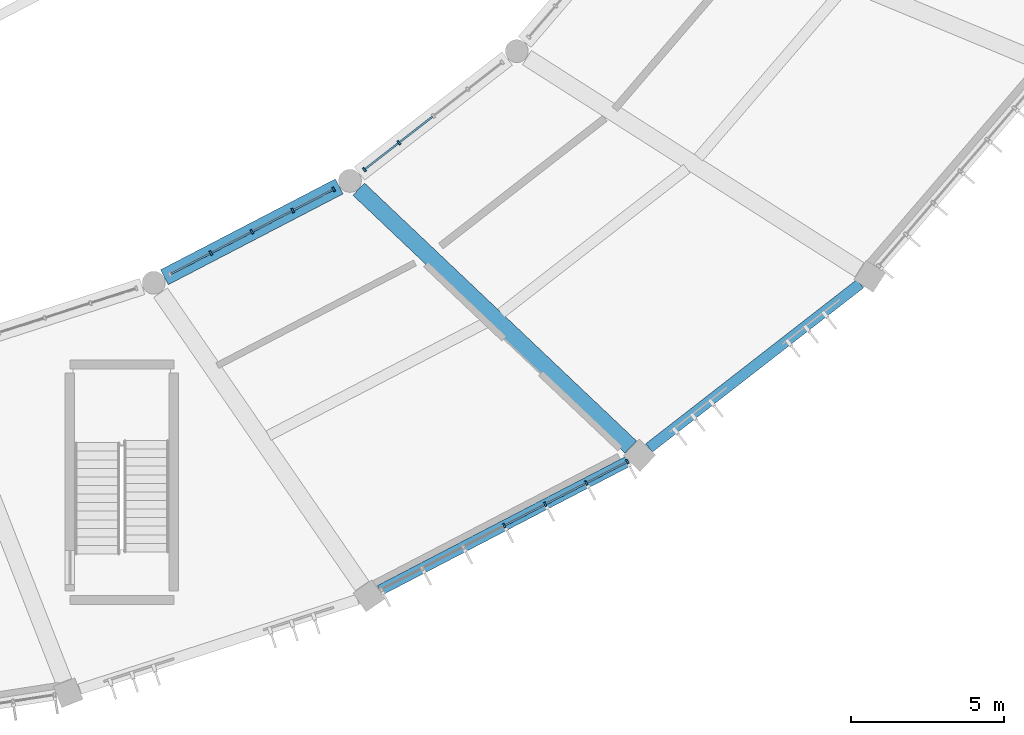
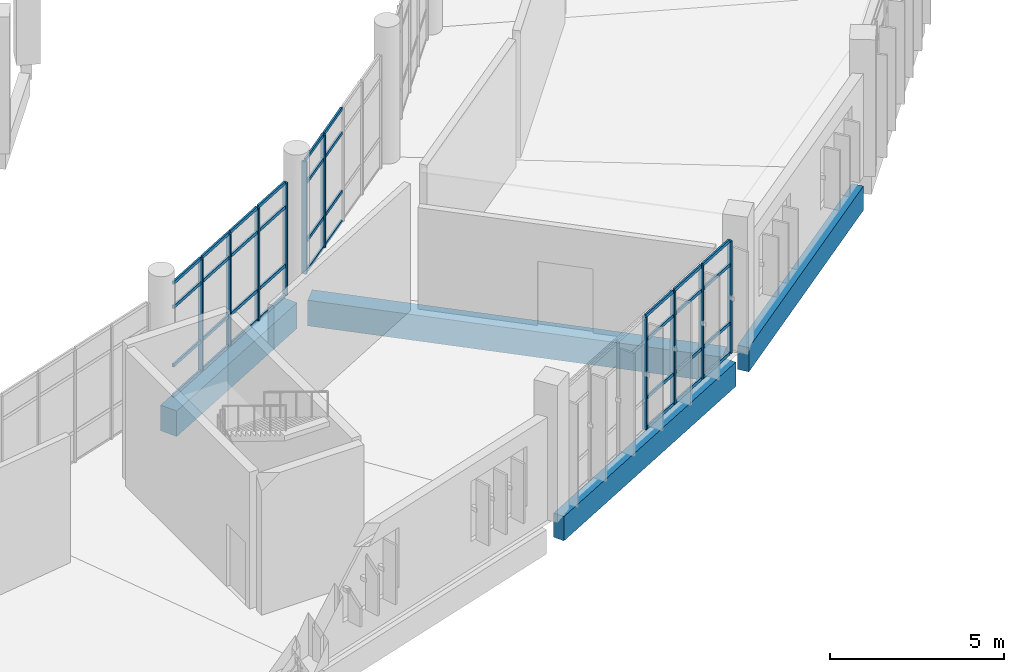
# One storey, part 37 of 179: 46 members, 4 beams, 3 elements without a shape of their own.
"""IFC4 building model written with IfcOpenShell, lengths in metres."""

from ifc_helpers import new_model, si_unit, direction, frame, origin, origin_2d, place, context, subcontext, project, spatial, rectangle, extrude, material, layer, layer_set, material_profile, profile_set, type_object, element, aggregate, save


model = new_model("IFC4")

# Units and contexts
model_context = context("Model", 3, precision=1e-05, world=origin(), true_north=direction((0.0, 1.0)))
body_context = subcontext(model_context, "Body", "Model", "MODEL_VIEW")
ifc_project = project(units=[si_unit("LENGTHUNIT", "METRE"), si_unit("AREAUNIT", "SQUARE_METRE"), si_unit("VOLUMEUNIT", "CUBIC_METRE"), si_unit("PLANEANGLEUNIT", "RADIAN"), si_unit("MASSUNIT", "GRAM", prefix="KILO")], contexts=[model_context])

# Site, building, storey
site_placement = place(None, origin())
site = spatial("IfcSite", under=ifc_project, at=site_placement, CompositionType="ELEMENT")
building_placement = place(site_placement, origin())
building = spatial("IfcBuilding", under=site, at=building_placement, Name="Corvandel Quay Wholesale Market", CompositionType="ELEMENT")
storey_placement = place(building_placement, frame((0.0, 0.0, 6.0)))
storey = spatial("IfcBuildingStorey", under=building, at=storey_placement, Name="L01", CompositionType="ELEMENT", Elevation=6.0)

# Curtain wall, members
ifc_material_1 = material(Name="Bronze anodised aluminium and low-E insulated glazing", Category="aluminium")
ifc_layer_1 = layer(ifc_material_1, 0.18603515625)
ifc_layer_set_1 = layer_set([ifc_layer_1], Name="Bronze anodised aluminium and low-E insulated glazing")
curtain_wall_type_1 = type_object("IfcCurtainWallType", Name="Stick Curtain Wall System CW03 H3270", PredefinedType="NOTDEFINED", material=ifc_layer_set_1)
curtain_wall_1_placement = place(storey_placement, origin())
curtain_wall_1 = element("IfcCurtainWall", 1, at=curtain_wall_1_placement, inside=storey, type_object=curtain_wall_type_1, Name="Curtain Wall CW-0078", PredefinedType="NOTDEFINED")
ifc_material_2 = material(Name="Anodised aluminium 6063-T6", Category="aluminium")
ifc_material_profile_1 = material_profile(ifc_material_2, rectangle(XDim=0.06494140625, YDim=0.14990234375, at=origin_2d()), Name="ALU-MUL-65x150")
ifc_profile_set_1 = profile_set([ifc_material_profile_1], Name="Anodised aluminium 6063-T6")
member_type_1 = type_object("IfcMemberType", Name="Curtain Wall Mullion ML02 65x150", PredefinedType="MULLION", material=ifc_profile_set_1)
member_1_placement = place(storey_placement, frame((144.0009765625, 7.077880859375, 0.0), z_axis=(0.0, 0.0, 1.0), x_axis=(0.887332978338, 0.461129250378, 0.0)))
member_1 = element("IfcMember", 2, at=member_1_placement, type_object=member_type_1, Name="Mullion CW-0078-M03", PredefinedType="MULLION", context=body_context, shape_type="SweptSolid", body=[
    extrude(rectangle(XDim=0.06494140625, YDim=0.14990234375, at=origin_2d()), origin(), (0.0, 0.0, 1.0), 3.949951171875),
])
member_2_placement = place(storey_placement, frame((145.341796875, 7.77490234375, 0.0), z_axis=(0.0, 0.0, 1.0), x_axis=(0.887332978338, 0.461129250378, 0.0)))
member_2 = element("IfcMember", 3, at=member_2_placement, type_object=member_type_1, Name="Mullion CW-0078-M04", PredefinedType="MULLION", context=body_context, shape_type="SweptSolid", body=[
    extrude(rectangle(XDim=0.06494140625, YDim=0.14990234375, at=origin_2d()), origin(), (0.0, 0.0, 1.0), 3.949951171875),
])
member_3_placement = place(storey_placement, frame((146.682861328125, 8.4716796875, 0.0), z_axis=(0.0, 0.0, 1.0), x_axis=(0.887332978338, 0.461129250378, 0.0)))
member_3 = element("IfcMember", 4, at=member_3_placement, type_object=member_type_1, Name="Mullion CW-0078-M05", PredefinedType="MULLION", context=body_context, shape_type="SweptSolid", body=[
    extrude(rectangle(XDim=0.06494140625, YDim=0.14990234375, at=origin_2d()), origin(), (0.0, 0.0, 1.0), 3.949951171875),
])
member_4_placement = place(storey_placement, frame((148.023681640625, 9.16845703125, 0.0), z_axis=(0.0, 0.0, 1.0), x_axis=(0.887332978338, 0.461129250378, 0.0)))
member_4 = element("IfcMember", 5, at=member_4_placement, type_object=member_type_1, Name="Mullion CW-0078-M06", PredefinedType="MULLION", context=body_context, shape_type="SweptSolid", body=[
    extrude(rectangle(XDim=0.06494140625, YDim=0.14990234375, at=origin_2d()), origin(), (0.0, 0.0, 1.0), 3.949951171875),
])

ifc_layer_2 = layer(ifc_material_1, 0.174072265625)
ifc_layer_set_2 = layer_set([ifc_layer_2], Name="Bronze anodised aluminium and low-E insulated glazing")
curtain_wall_type_2 = type_object("IfcCurtainWallType", Name="Stick Curtain Wall System CW17 H4530", PredefinedType="NOTDEFINED", material=ifc_layer_set_2)
curtain_wall_2_placement = place(storey_placement, origin())
curtain_wall_2 = element("IfcCurtainWall", 6, at=curtain_wall_2_placement, inside=storey, type_object=curtain_wall_type_2, Name="Curtain Wall CW-0079", PredefinedType="NOTDEFINED")
member_5_placement = place(storey_placement, frame((134.41357421875, 15.9873046875, 0.0), z_axis=(0.0, 0.0, 1.0), x_axis=(0.887332978338, 0.461129250378, 0.0)))
member_5 = element("IfcMember", 7, at=member_5_placement, type_object=member_type_1, Name="Mullion CW-0079-M01", PredefinedType="MULLION", context=body_context, shape_type="SweptSolid", body=[
    extrude(rectangle(XDim=0.06494140625, YDim=0.14990234375, at=origin_2d()), origin(), (0.0, 0.0, 1.0), 3.949951171875),
])
member_6_placement = place(storey_placement, frame((135.75048828125, 16.681884765625, 0.0), z_axis=(0.0, 0.0, 1.0), x_axis=(0.887332978338, 0.461129250378, 0.0)))
member_6 = element("IfcMember", 8, at=member_6_placement, type_object=member_type_1, Name="Mullion CW-0079-M02", PredefinedType="MULLION", context=body_context, shape_type="SweptSolid", body=[
    extrude(rectangle(XDim=0.06494140625, YDim=0.14990234375, at=origin_2d()), origin(), (0.0, 0.0, 1.0), 3.949951171875),
])
member_7_placement = place(storey_placement, frame((137.08740234375, 17.376708984375, 0.0), z_axis=(0.0, 0.0, 1.0), x_axis=(0.887332978338, 0.461129250378, 0.0)))
member_7 = element("IfcMember", 9, at=member_7_placement, type_object=member_type_1, Name="Mullion CW-0079-M03", PredefinedType="MULLION", context=body_context, shape_type="SweptSolid", body=[
    extrude(rectangle(XDim=0.06494140625, YDim=0.14990234375, at=origin_2d()), origin(), (0.0, 0.0, 1.0), 3.949951171875),
])
member_8_placement = place(storey_placement, frame((138.424560546875, 18.0712890625, 0.0), z_axis=(0.0, 0.0, 1.0), x_axis=(0.887332978338, 0.461129250378, 0.0)))
member_8 = element("IfcMember", 10, at=member_8_placement, type_object=member_type_1, Name="Mullion CW-0079-M04", PredefinedType="MULLION", context=body_context, shape_type="SweptSolid", body=[
    extrude(rectangle(XDim=0.06494140625, YDim=0.14990234375, at=origin_2d()), origin(), (0.0, 0.0, 1.0), 3.949951171875),
])

ifc_layer_3 = layer(ifc_material_1, 0.18603515625)
ifc_layer_set_3 = layer_set([ifc_layer_3], Name="Bronze anodised aluminium and low-E insulated glazing")
curtain_wall_type_3 = type_object("IfcCurtainWallType", Name="Stick Curtain Wall System CW18 H4620", PredefinedType="NOTDEFINED", material=ifc_layer_set_3)
curtain_wall_3_placement = place(storey_placement, origin())
curtain_wall_3 = element("IfcCurtainWall", 11, at=curtain_wall_3_placement, inside=storey, type_object=curtain_wall_type_3, Name="Curtain Wall CW-0082", PredefinedType="NOTDEFINED")
member_9_placement = place(storey_placement, frame((139.4306640625, 18.71630859375, 0.0), z_axis=(0.0, 0.0, 1.0), x_axis=(0.789405615633, 0.613871952452, 0.0)))
member_9 = element("IfcMember", 12, at=member_9_placement, type_object=member_type_1, Name="Mullion CW-0082-M00", PredefinedType="MULLION", context=body_context, shape_type="SweptSolid", body=[
    extrude(rectangle(XDim=0.06494140625, YDim=0.14990234375, at=origin_2d()), origin(), (0.0, 0.0, 1.0), 3.949951171875),
])
member_10_placement = place(storey_placement, frame((140.55712890625, 19.59228515625, 0.0), z_axis=(0.0, 0.0, 1.0), x_axis=(0.789405615633, 0.613871952452, 0.0)))
member_10 = element("IfcMember", 13, at=member_10_placement, type_object=member_type_1, Name="Mullion CW-0082-M01", PredefinedType="MULLION", context=body_context, shape_type="SweptSolid", body=[
    extrude(rectangle(XDim=0.06494140625, YDim=0.14990234375, at=origin_2d()), origin(), (0.0, 0.0, 1.0), 3.949951171875),
])

# Member
ifc_material_profile_2 = material_profile(ifc_material_2, rectangle(XDim=0.06005859375, YDim=0.110107421875, at=origin_2d()), Name="ALU-TRN-60x110")
ifc_profile_set_2 = profile_set([ifc_material_profile_2], Name="Anodised aluminium 6063-T6")
member_type_2 = type_object("IfcMemberType", Name="Curtain Wall Transom TR02 60x110", PredefinedType="USERDEFINED", material=ifc_profile_set_2)
member_11_placement = place(storey_placement, frame((144.02978515625, 7.093017578125, 0.0), z_axis=(0.887363258925, 0.461070977953, 0.0), x_axis=(-0.461070977953, 0.887363258925, 0.0)))
member_11 = element("IfcMember", 14, at=member_11_placement, type_object=member_type_2, Name="Transom CW-0078-T03-0", ObjectType="TRANSOM", PredefinedType="USERDEFINED", context=body_context, shape_type="SweptSolid", body=[
    extrude(rectangle(XDim=0.06005859375, YDim=0.110107421875, at=origin_2d()), origin(), (0.0, 0.0, 1.0), 1.446044921875),
])

member_12_placement = place(storey_placement, frame((144.02978515625, 7.093017578125, 1.050048828125), z_axis=(0.887363258925, 0.461070977953, 0.0), x_axis=(-0.461070977953, 0.887363258925, 0.0)))
member_12 = element("IfcMember", 15, at=member_12_placement, type_object=member_type_2, Name="Transom CW-0078-T03-1", ObjectType="TRANSOM", PredefinedType="USERDEFINED", context=body_context, shape_type="SweptSolid", body=[
    extrude(rectangle(XDim=0.06005859375, YDim=0.110107421875, at=origin_2d()), origin(), (0.0, 0.0, 1.0), 1.446044921875),
])

member_13_placement = place(storey_placement, frame((144.02978515625, 7.093017578125, 3.10009765625), z_axis=(0.887363258925, 0.461070977953, 0.0), x_axis=(-0.461070977953, 0.887363258925, 0.0)))
member_13 = element("IfcMember", 16, at=member_13_placement, type_object=member_type_2, Name="Transom CW-0078-T03-2", ObjectType="TRANSOM", PredefinedType="USERDEFINED", context=body_context, shape_type="SweptSolid", body=[
    extrude(rectangle(XDim=0.06005859375, YDim=0.110107421875, at=origin_2d()), origin(), (0.0, 0.0, 1.0), 1.446044921875),
])

member_14_placement = place(storey_placement, frame((144.02978515625, 7.093017578125, 3.949951171875), z_axis=(0.887363258925, 0.461070977953, 0.0), x_axis=(-0.461070977953, 0.887363258925, 0.0)))
member_14 = element("IfcMember", 17, at=member_14_placement, type_object=member_type_2, Name="Transom CW-0078-T03-3", ObjectType="TRANSOM", PredefinedType="USERDEFINED", context=body_context, shape_type="SweptSolid", body=[
    extrude(rectangle(XDim=0.06005859375, YDim=0.110107421875, at=origin_2d()), origin(), (0.0, 0.0, 1.0), 1.446044921875),
])

member_15_placement = place(storey_placement, frame((145.37060546875, 7.789794921875, 0.0), z_axis=(0.887330080745, 0.46113482606, 0.0), x_axis=(-0.46113482606, 0.887330080745, 0.0)))
member_15 = element("IfcMember", 18, at=member_15_placement, type_object=member_type_2, Name="Transom CW-0078-T04-0", ObjectType="TRANSOM", PredefinedType="USERDEFINED", context=body_context, shape_type="SweptSolid", body=[
    extrude(rectangle(XDim=0.06005859375, YDim=0.110107421875, at=origin_2d()), origin(), (0.0, 0.0, 1.0), 1.446533203125),
])

member_16_placement = place(storey_placement, frame((145.37060546875, 7.789794921875, 1.050048828125), z_axis=(0.887330080745, 0.46113482606, 0.0), x_axis=(-0.46113482606, 0.887330080745, 0.0)))
member_16 = element("IfcMember", 19, at=member_16_placement, type_object=member_type_2, Name="Transom CW-0078-T04-1", ObjectType="TRANSOM", PredefinedType="USERDEFINED", context=body_context, shape_type="SweptSolid", body=[
    extrude(rectangle(XDim=0.06005859375, YDim=0.110107421875, at=origin_2d()), origin(), (0.0, 0.0, 1.0), 1.446533203125),
])

member_17_placement = place(storey_placement, frame((145.37060546875, 7.789794921875, 3.10009765625), z_axis=(0.887330080745, 0.46113482606, 0.0), x_axis=(-0.46113482606, 0.887330080745, 0.0)))
member_17 = element("IfcMember", 20, at=member_17_placement, type_object=member_type_2, Name="Transom CW-0078-T04-2", ObjectType="TRANSOM", PredefinedType="USERDEFINED", context=body_context, shape_type="SweptSolid", body=[
    extrude(rectangle(XDim=0.06005859375, YDim=0.110107421875, at=origin_2d()), origin(), (0.0, 0.0, 1.0), 1.446533203125),
])

member_18_placement = place(storey_placement, frame((145.37060546875, 7.789794921875, 3.949951171875), z_axis=(0.887330080745, 0.46113482606, 0.0), x_axis=(-0.46113482606, 0.887330080745, 0.0)))
member_18 = element("IfcMember", 21, at=member_18_placement, type_object=member_type_2, Name="Transom CW-0078-T04-3", ObjectType="TRANSOM", PredefinedType="USERDEFINED", context=body_context, shape_type="SweptSolid", body=[
    extrude(rectangle(XDim=0.06005859375, YDim=0.110107421875, at=origin_2d()), origin(), (0.0, 0.0, 1.0), 1.446533203125),
])

member_19_placement = place(storey_placement, frame((146.711669921875, 8.48681640625, 0.0), z_axis=(0.887363258925, 0.461070977953, 0.0), x_axis=(-0.461070977953, 0.887363258925, 0.0)))
member_19 = element("IfcMember", 22, at=member_19_placement, type_object=member_type_2, Name="Transom CW-0078-T05-0", ObjectType="TRANSOM", PredefinedType="USERDEFINED", context=body_context, shape_type="SweptSolid", body=[
    extrude(rectangle(XDim=0.06005859375, YDim=0.110107421875, at=origin_2d()), origin(), (0.0, 0.0, 1.0), 1.446044921875),
])

member_20_placement = place(storey_placement, frame((146.711669921875, 8.48681640625, 1.050048828125), z_axis=(0.887363258925, 0.461070977953, 0.0), x_axis=(-0.461070977953, 0.887363258925, 0.0)))
member_20 = element("IfcMember", 23, at=member_20_placement, type_object=member_type_2, Name="Transom CW-0078-T05-1", ObjectType="TRANSOM", PredefinedType="USERDEFINED", context=body_context, shape_type="SweptSolid", body=[
    extrude(rectangle(XDim=0.06005859375, YDim=0.110107421875, at=origin_2d()), origin(), (0.0, 0.0, 1.0), 1.446044921875),
])

member_21_placement = place(storey_placement, frame((146.711669921875, 8.48681640625, 3.10009765625), z_axis=(0.887363258925, 0.461070977953, 0.0), x_axis=(-0.461070977953, 0.887363258925, 0.0)))
member_21 = element("IfcMember", 24, at=member_21_placement, type_object=member_type_2, Name="Transom CW-0078-T05-2", ObjectType="TRANSOM", PredefinedType="USERDEFINED", context=body_context, shape_type="SweptSolid", body=[
    extrude(rectangle(XDim=0.06005859375, YDim=0.110107421875, at=origin_2d()), origin(), (0.0, 0.0, 1.0), 1.446044921875),
])

member_22_placement = place(storey_placement, frame((146.711669921875, 8.48681640625, 3.949951171875), z_axis=(0.887363258925, 0.461070977953, 0.0), x_axis=(-0.461070977953, 0.887363258925, 0.0)))
member_22 = element("IfcMember", 25, at=member_22_placement, type_object=member_type_2, Name="Transom CW-0078-T05-3", ObjectType="TRANSOM", PredefinedType="USERDEFINED", context=body_context, shape_type="SweptSolid", body=[
    extrude(rectangle(XDim=0.06005859375, YDim=0.110107421875, at=origin_2d()), origin(), (0.0, 0.0, 1.0), 1.446044921875),
])

aggregate(curtain_wall_1, [member_1, member_2, member_3, member_4, member_11, member_12, member_13, member_14, member_15, member_16, member_17, member_18, member_19, member_20, member_21, member_22])

member_23_placement = place(storey_placement, frame((133.105224609375, 15.3076171875, 0.0), z_axis=(0.887341534399, 0.46111278591, 0.0), x_axis=(-0.46111278591, 0.887341534399, 0.0)))
member_23 = element("IfcMember", 26, at=member_23_placement, type_object=member_type_2, Name="Transom CW-0079-T00-0", ObjectType="TRANSOM", PredefinedType="USERDEFINED", context=body_context, shape_type="SweptSolid", body=[
    extrude(rectangle(XDim=0.06005859375, YDim=0.110107421875, at=origin_2d()), origin(), (0.0, 0.0, 1.0), 1.441650390625),
])

member_24_placement = place(storey_placement, frame((133.105224609375, 15.3076171875, 1.050048828125), z_axis=(0.887341534399, 0.46111278591, 0.0), x_axis=(-0.46111278591, 0.887341534399, 0.0)))
member_24 = element("IfcMember", 27, at=member_24_placement, type_object=member_type_2, Name="Transom CW-0079-T00-1", ObjectType="TRANSOM", PredefinedType="USERDEFINED", context=body_context, shape_type="SweptSolid", body=[
    extrude(rectangle(XDim=0.06005859375, YDim=0.110107421875, at=origin_2d()), origin(), (0.0, 0.0, 1.0), 1.441650390625),
])

member_25_placement = place(storey_placement, frame((133.105224609375, 15.3076171875, 3.10009765625), z_axis=(0.887341534399, 0.46111278591, 0.0), x_axis=(-0.46111278591, 0.887341534399, 0.0)))
member_25 = element("IfcMember", 28, at=member_25_placement, type_object=member_type_2, Name="Transom CW-0079-T00-2", ObjectType="TRANSOM", PredefinedType="USERDEFINED", context=body_context, shape_type="SweptSolid", body=[
    extrude(rectangle(XDim=0.06005859375, YDim=0.110107421875, at=origin_2d()), origin(), (0.0, 0.0, 1.0), 1.441650390625),
])

member_26_placement = place(storey_placement, frame((133.105224609375, 15.3076171875, 3.949951171875), z_axis=(0.887341534399, 0.46111278591, 0.0), x_axis=(-0.46111278591, 0.887341534399, 0.0)))
member_26 = element("IfcMember", 29, at=member_26_placement, type_object=member_type_2, Name="Transom CW-0079-T00-3", ObjectType="TRANSOM", PredefinedType="USERDEFINED", context=body_context, shape_type="SweptSolid", body=[
    extrude(rectangle(XDim=0.06005859375, YDim=0.110107421875, at=origin_2d()), origin(), (0.0, 0.0, 1.0), 1.441650390625),
])

member_27_placement = place(storey_placement, frame((134.4423828125, 16.002197265625, 0.0), z_axis=(0.887341534399, 0.46111278591, 0.0), x_axis=(-0.46111278591, 0.887341534399, 0.0)))
member_27 = element("IfcMember", 30, at=member_27_placement, type_object=member_type_2, Name="Transom CW-0079-T01-0", ObjectType="TRANSOM", PredefinedType="USERDEFINED", context=body_context, shape_type="SweptSolid", body=[
    extrude(rectangle(XDim=0.06005859375, YDim=0.110107421875, at=origin_2d()), origin(), (0.0, 0.0, 1.0), 1.441650390625),
])

member_28_placement = place(storey_placement, frame((134.4423828125, 16.002197265625, 1.050048828125), z_axis=(0.887341534399, 0.46111278591, 0.0), x_axis=(-0.46111278591, 0.887341534399, 0.0)))
member_28 = element("IfcMember", 31, at=member_28_placement, type_object=member_type_2, Name="Transom CW-0079-T01-1", ObjectType="TRANSOM", PredefinedType="USERDEFINED", context=body_context, shape_type="SweptSolid", body=[
    extrude(rectangle(XDim=0.06005859375, YDim=0.110107421875, at=origin_2d()), origin(), (0.0, 0.0, 1.0), 1.441650390625),
])

member_29_placement = place(storey_placement, frame((134.4423828125, 16.002197265625, 3.10009765625), z_axis=(0.887341534399, 0.46111278591, 0.0), x_axis=(-0.46111278591, 0.887341534399, 0.0)))
member_29 = element("IfcMember", 32, at=member_29_placement, type_object=member_type_2, Name="Transom CW-0079-T01-2", ObjectType="TRANSOM", PredefinedType="USERDEFINED", context=body_context, shape_type="SweptSolid", body=[
    extrude(rectangle(XDim=0.06005859375, YDim=0.110107421875, at=origin_2d()), origin(), (0.0, 0.0, 1.0), 1.441650390625),
])

member_30_placement = place(storey_placement, frame((134.4423828125, 16.002197265625, 3.949951171875), z_axis=(0.887341534399, 0.46111278591, 0.0), x_axis=(-0.46111278591, 0.887341534399, 0.0)))
member_30 = element("IfcMember", 33, at=member_30_placement, type_object=member_type_2, Name="Transom CW-0079-T01-3", ObjectType="TRANSOM", PredefinedType="USERDEFINED", context=body_context, shape_type="SweptSolid", body=[
    extrude(rectangle(XDim=0.06005859375, YDim=0.110107421875, at=origin_2d()), origin(), (0.0, 0.0, 1.0), 1.441650390625),
])

member_31_placement = place(storey_placement, frame((135.779296875, 16.697021484375, 0.0), z_axis=(0.887341534399, 0.46111278591, 0.0), x_axis=(-0.46111278591, 0.887341534399, 0.0)))
member_31 = element("IfcMember", 34, at=member_31_placement, type_object=member_type_2, Name="Transom CW-0079-T02-0", ObjectType="TRANSOM", PredefinedType="USERDEFINED", context=body_context, shape_type="SweptSolid", body=[
    extrude(rectangle(XDim=0.06005859375, YDim=0.110107421875, at=origin_2d()), origin(), (0.0, 0.0, 1.0), 1.441650390625),
])

member_32_placement = place(storey_placement, frame((135.779296875, 16.697021484375, 1.050048828125), z_axis=(0.887341534399, 0.46111278591, 0.0), x_axis=(-0.46111278591, 0.887341534399, 0.0)))
member_32 = element("IfcMember", 35, at=member_32_placement, type_object=member_type_2, Name="Transom CW-0079-T02-1", ObjectType="TRANSOM", PredefinedType="USERDEFINED", context=body_context, shape_type="SweptSolid", body=[
    extrude(rectangle(XDim=0.06005859375, YDim=0.110107421875, at=origin_2d()), origin(), (0.0, 0.0, 1.0), 1.441650390625),
])

member_33_placement = place(storey_placement, frame((135.779296875, 16.697021484375, 3.10009765625), z_axis=(0.887341534399, 0.46111278591, 0.0), x_axis=(-0.46111278591, 0.887341534399, 0.0)))
member_33 = element("IfcMember", 36, at=member_33_placement, type_object=member_type_2, Name="Transom CW-0079-T02-2", ObjectType="TRANSOM", PredefinedType="USERDEFINED", context=body_context, shape_type="SweptSolid", body=[
    extrude(rectangle(XDim=0.06005859375, YDim=0.110107421875, at=origin_2d()), origin(), (0.0, 0.0, 1.0), 1.441650390625),
])

member_34_placement = place(storey_placement, frame((135.779296875, 16.697021484375, 3.949951171875), z_axis=(0.887341534399, 0.46111278591, 0.0), x_axis=(-0.46111278591, 0.887341534399, 0.0)))
member_34 = element("IfcMember", 37, at=member_34_placement, type_object=member_type_2, Name="Transom CW-0079-T02-3", ObjectType="TRANSOM", PredefinedType="USERDEFINED", context=body_context, shape_type="SweptSolid", body=[
    extrude(rectangle(XDim=0.06005859375, YDim=0.110107421875, at=origin_2d()), origin(), (0.0, 0.0, 1.0), 1.441650390625),
])

member_35_placement = place(storey_placement, frame((137.116455078125, 17.3916015625, 0.0), z_axis=(0.887341534399, 0.46111278591, 0.0), x_axis=(-0.46111278591, 0.887341534399, 0.0)))
member_35 = element("IfcMember", 38, at=member_35_placement, type_object=member_type_2, Name="Transom CW-0079-T03-0", ObjectType="TRANSOM", PredefinedType="USERDEFINED", context=body_context, shape_type="SweptSolid", body=[
    extrude(rectangle(XDim=0.06005859375, YDim=0.110107421875, at=origin_2d()), origin(), (0.0, 0.0, 1.0), 1.441650390625),
])

member_36_placement = place(storey_placement, frame((137.116455078125, 17.3916015625, 1.050048828125), z_axis=(0.887341534399, 0.46111278591, 0.0), x_axis=(-0.46111278591, 0.887341534399, 0.0)))
member_36 = element("IfcMember", 39, at=member_36_placement, type_object=member_type_2, Name="Transom CW-0079-T03-1", ObjectType="TRANSOM", PredefinedType="USERDEFINED", context=body_context, shape_type="SweptSolid", body=[
    extrude(rectangle(XDim=0.06005859375, YDim=0.110107421875, at=origin_2d()), origin(), (0.0, 0.0, 1.0), 1.441650390625),
])

member_37_placement = place(storey_placement, frame((137.116455078125, 17.3916015625, 3.10009765625), z_axis=(0.887341534399, 0.46111278591, 0.0), x_axis=(-0.46111278591, 0.887341534399, 0.0)))
member_37 = element("IfcMember", 40, at=member_37_placement, type_object=member_type_2, Name="Transom CW-0079-T03-2", ObjectType="TRANSOM", PredefinedType="USERDEFINED", context=body_context, shape_type="SweptSolid", body=[
    extrude(rectangle(XDim=0.06005859375, YDim=0.110107421875, at=origin_2d()), origin(), (0.0, 0.0, 1.0), 1.441650390625),
])

member_38_placement = place(storey_placement, frame((137.116455078125, 17.3916015625, 3.949951171875), z_axis=(0.887341534399, 0.46111278591, 0.0), x_axis=(-0.46111278591, 0.887341534399, 0.0)))
member_38 = element("IfcMember", 41, at=member_38_placement, type_object=member_type_2, Name="Transom CW-0079-T03-3", ObjectType="TRANSOM", PredefinedType="USERDEFINED", context=body_context, shape_type="SweptSolid", body=[
    extrude(rectangle(XDim=0.06005859375, YDim=0.110107421875, at=origin_2d()), origin(), (0.0, 0.0, 1.0), 1.441650390625),
])

aggregate(curtain_wall_2, [member_5, member_6, member_7, member_8, member_23, member_24, member_25, member_26, member_27, member_28, member_29, member_30, member_31, member_32, member_33, member_34, member_35, member_36, member_37, member_38])

member_39_placement = place(storey_placement, frame((139.456298828125, 18.736328125, 0.0), z_axis=(0.789381170954, 0.613903385676, 0.0), x_axis=(-0.613903385676, 0.789381170954, 0.0)))
member_39 = element("IfcMember", 42, at=member_39_placement, type_object=member_type_2, Name="Transom CW-0082-T00-0", ObjectType="TRANSOM", PredefinedType="USERDEFINED", context=body_context, shape_type="SweptSolid", body=[
    extrude(rectangle(XDim=0.06005859375, YDim=0.110107421875, at=origin_2d()), origin(), (0.0, 0.0, 1.0), 1.362060546875),
])

member_40_placement = place(storey_placement, frame((139.456298828125, 18.736328125, 1.050048828125), z_axis=(0.789381170954, 0.613903385676, 0.0), x_axis=(-0.613903385676, 0.789381170954, 0.0)))
member_40 = element("IfcMember", 43, at=member_40_placement, type_object=member_type_2, Name="Transom CW-0082-T00-1", ObjectType="TRANSOM", PredefinedType="USERDEFINED", context=body_context, shape_type="SweptSolid", body=[
    extrude(rectangle(XDim=0.06005859375, YDim=0.110107421875, at=origin_2d()), origin(), (0.0, 0.0, 1.0), 1.362060546875),
])

member_41_placement = place(storey_placement, frame((139.456298828125, 18.736328125, 3.10009765625), z_axis=(0.789381170954, 0.613903385676, 0.0), x_axis=(-0.613903385676, 0.789381170954, 0.0)))
member_41 = element("IfcMember", 44, at=member_41_placement, type_object=member_type_2, Name="Transom CW-0082-T00-2", ObjectType="TRANSOM", PredefinedType="USERDEFINED", context=body_context, shape_type="SweptSolid", body=[
    extrude(rectangle(XDim=0.06005859375, YDim=0.110107421875, at=origin_2d()), origin(), (0.0, 0.0, 1.0), 1.362060546875),
])

member_42_placement = place(storey_placement, frame((139.456298828125, 18.736328125, 3.949951171875), z_axis=(0.789381170954, 0.613903385676, 0.0), x_axis=(-0.613903385676, 0.789381170954, 0.0)))
member_42 = element("IfcMember", 45, at=member_42_placement, type_object=member_type_2, Name="Transom CW-0082-T00-3", ObjectType="TRANSOM", PredefinedType="USERDEFINED", context=body_context, shape_type="SweptSolid", body=[
    extrude(rectangle(XDim=0.06005859375, YDim=0.110107421875, at=origin_2d()), origin(), (0.0, 0.0, 1.0), 1.362060546875),
])

member_43_placement = place(storey_placement, frame((140.582763671875, 19.6123046875, 0.0), z_axis=(0.789313604412, 0.613990255533, 0.0), x_axis=(-0.613990255533, 0.789313604412, 0.0)))
member_43 = element("IfcMember", 46, at=member_43_placement, type_object=member_type_2, Name="Transom CW-0082-T01-0", ObjectType="TRANSOM", PredefinedType="USERDEFINED", context=body_context, shape_type="SweptSolid", body=[
    extrude(rectangle(XDim=0.06005859375, YDim=0.110107421875, at=origin_2d()), origin(), (0.0, 0.0, 1.0), 1.36181640625),
])

member_44_placement = place(storey_placement, frame((140.582763671875, 19.6123046875, 1.050048828125), z_axis=(0.789313604412, 0.613990255533, 0.0), x_axis=(-0.613990255533, 0.789313604412, 0.0)))
member_44 = element("IfcMember", 47, at=member_44_placement, type_object=member_type_2, Name="Transom CW-0082-T01-1", ObjectType="TRANSOM", PredefinedType="USERDEFINED", context=body_context, shape_type="SweptSolid", body=[
    extrude(rectangle(XDim=0.06005859375, YDim=0.110107421875, at=origin_2d()), origin(), (0.0, 0.0, 1.0), 1.36181640625),
])

member_45_placement = place(storey_placement, frame((140.582763671875, 19.6123046875, 3.10009765625), z_axis=(0.789313604412, 0.613990255533, 0.0), x_axis=(-0.613990255533, 0.789313604412, 0.0)))
member_45 = element("IfcMember", 48, at=member_45_placement, type_object=member_type_2, Name="Transom CW-0082-T01-2", ObjectType="TRANSOM", PredefinedType="USERDEFINED", context=body_context, shape_type="SweptSolid", body=[
    extrude(rectangle(XDim=0.06005859375, YDim=0.110107421875, at=origin_2d()), origin(), (0.0, 0.0, 1.0), 1.36181640625),
])

member_46_placement = place(storey_placement, frame((140.582763671875, 19.6123046875, 3.949951171875), z_axis=(0.789313604412, 0.613990255533, 0.0), x_axis=(-0.613990255533, 0.789313604412, 0.0)))
member_46 = element("IfcMember", 49, at=member_46_placement, type_object=member_type_2, Name="Transom CW-0082-T01-3", ObjectType="TRANSOM", PredefinedType="USERDEFINED", context=body_context, shape_type="SweptSolid", body=[
    extrude(rectangle(XDim=0.06005859375, YDim=0.110107421875, at=origin_2d()), origin(), (0.0, 0.0, 1.0), 1.36181640625),
])

aggregate(curtain_wall_3, [member_9, member_10, member_39, member_40, member_41, member_42, member_43, member_44, member_45, member_46])

# Beams
ifc_material_3 = material(Name="Precast concrete C45/55", Category="concrete")
ifc_material_profile_3 = material_profile(ifc_material_3, rectangle(XDim=0.35009765625, YDim=0.85009765625, at=origin_2d()), Name="PC-SPN-350x850")
ifc_profile_set_3 = profile_set([ifc_material_profile_3], Name="Precast concrete C45/55")
beam_type_1 = type_object("IfcBeamType", Name="Perimeter Precast Spandrel SP01 350x850", PredefinedType="SPANDREL", material=ifc_profile_set_3)
beam_1_placement = place(storey_placement, frame((139.929443359375, 4.962158203125, -0.72509765625), z_axis=(0.887337425386, 0.461120692997, 0.0), x_axis=(-0.461120692997, 0.887337425386, 0.0)))
element("IfcBeam", 50, at=beam_1_placement, inside=storey, type_object=beam_type_1, Name="Beam BM-0322", PredefinedType="SPANDREL", context=body_context, shape_type="SweptSolid", body=[
    extrude(rectangle(XDim=0.35009765625, YDim=0.85009765625, at=origin_2d()), origin(), (0.0, 0.0, 1.0), 9.177001953125),
])
beam_2_placement = place(storey_placement, frame((148.73486328125, 9.618408203125, -0.72509765625), z_axis=(0.789310099269, 0.613994761535, 0.0), x_axis=(-0.613994761535, 0.789310099269, 0.0)))
element("IfcBeam", 51, at=beam_2_placement, inside=storey, type_object=beam_type_1, Name="Beam BM-0334", PredefinedType="SPANDREL", context=body_context, shape_type="SweptSolid", body=[
    extrude(rectangle(XDim=0.35009765625, YDim=0.85009765625, at=origin_2d()), origin(), (0.0, 0.0, 1.0), 8.73974609375),
])
ifc_material_profile_4 = material_profile(ifc_material_3, rectangle(XDim=0.550048828125, YDim=0.89990234375, at=origin_2d()), Name="PC-GIR-550x900")
ifc_profile_set_4 = profile_set([ifc_material_profile_4], Name="Precast concrete C45/55")
beam_type_2 = type_object("IfcBeamType", Name="Produce Hall Radial Girder G03 550x900", PredefinedType="USERDEFINED", material=ifc_profile_set_4)
beam_3_placement = place(storey_placement, frame((132.89453125, 15.197998046875, -0.75), z_axis=(0.887355240172, 0.461086410274, 0.0), x_axis=(-0.461086410274, 0.887355240172, 0.0)))
element("IfcBeam", 52, at=beam_3_placement, inside=storey, type_object=beam_type_2, Name="Beam BM-0323", ObjectType="GIRDER", PredefinedType="USERDEFINED", context=body_context, shape_type="SweptSolid", body=[
    extrude(rectangle(XDim=0.550048828125, YDim=0.89990234375, at=origin_2d()), origin(), (0.0, 0.0, 1.0), 6.43701171875),
])
beam_4_placement = place(storey_placement, frame((148.13623046875, 9.647705078125, -0.75), z_axis=(-0.72578301485, 0.687923698789, 0.0), x_axis=(-0.687923698789, -0.72578301485, 0.0)))
element("IfcBeam", 53, at=beam_4_placement, inside=storey, type_object=beam_type_2, Name="Beam BM-0336", ObjectType="GIRDER", PredefinedType="USERDEFINED", context=body_context, shape_type="SweptSolid", body=[
    extrude(rectangle(XDim=0.550048828125, YDim=0.89990234375, at=origin_2d()), origin(), (0.0, 0.0, 1.0), 12.25244140625),
])

save(model, "model.ifc")
